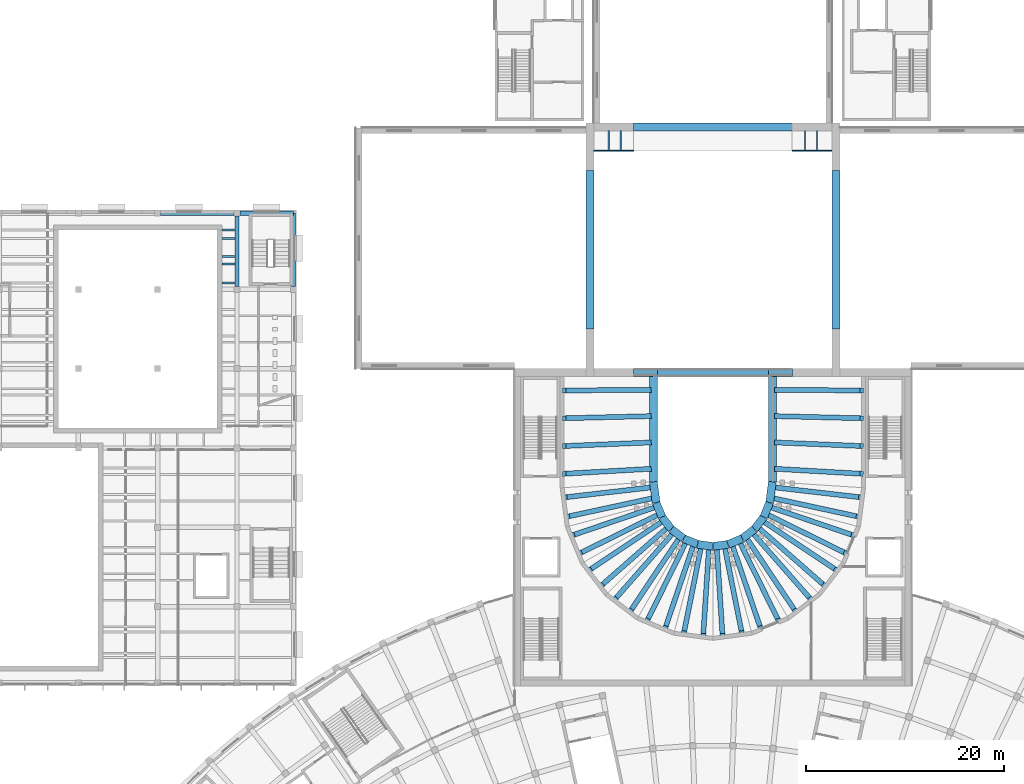
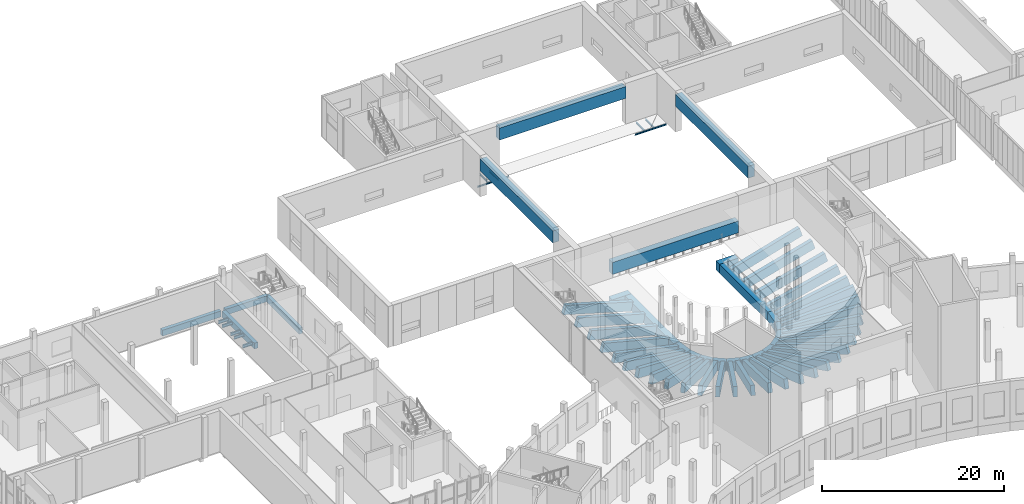
# One storey, part 16 of 87: 61 beams, 6 members.
"""IFC4 building model written with IfcOpenShell, lengths in metres."""

from ifc_helpers import new_model, si_unit, direction, frame, origin, origin_2d, place, context, subcontext, project, spatial, rectangle, i_section, extrude, material, material_profile, profile_set, type_object, element, save


model = new_model("IFC4")

# Units and contexts
model_context = context("Model", 3, precision=1e-05, world=origin(), true_north=direction((0.0, 1.0)))
body_context = subcontext(model_context, "Body", "Model", "MODEL_VIEW")
ifc_project = project(units=[si_unit("LENGTHUNIT", "METRE"), si_unit("AREAUNIT", "SQUARE_METRE"), si_unit("VOLUMEUNIT", "CUBIC_METRE"), si_unit("PLANEANGLEUNIT", "RADIAN"), si_unit("MASSUNIT", "GRAM", prefix="KILO")], contexts=[model_context])

# Site, building, storey
site_placement = place(None, origin())
site = spatial("IfcSite", under=ifc_project, at=site_placement, CompositionType="ELEMENT")
building_placement = place(site_placement, origin())
building = spatial("IfcBuilding", under=site, at=building_placement, Name="Lunette Opera House", CompositionType="ELEMENT")
storey_placement = place(building_placement, frame((0.0, 0.0, 11.5)))
storey = spatial("IfcBuildingStorey", under=building, at=storey_placement, Name="L02", CompositionType="ELEMENT", Elevation=11.5)

# Members
ifc_material_1 = material(Name="Steel S355", Category="steel")
ifc_material_profile_1 = material_profile(ifc_material_1, i_section(OverallWidth=0.1201171875, OverallDepth=0.239990234375, WebThickness=0.006103515625, FlangeThickness=0.009765625, FilletRadius=0.014892578125, at=origin_2d()), Name="IPE 240")
ifc_profile_set_1 = profile_set([ifc_material_profile_1], Name="Steel S355")
member_type_1 = type_object("IfcMemberType", Name="BRACKET IPE 240", PredefinedType="MEMBER", material=ifc_profile_set_1)
for number, where, z_axis, x_axis, name in (
    (1, (85.5, 120.010009765625, -0.179931640625), (0.0, -1.0, 0.0), (1.0, 0.0, 0.0), "mem-ST-L02-FG1-BKN855"),
    (2, (86.699951171875, 120.010009765625, -0.179931640625), (0.0, -1.0, 0.0), (1.0, 0.0, 0.0), "mem-ST-L02-FG1-BKN867"),
    (3, (105.300048828125, 120.010009765625, -0.179931640625), (0.0, -1.0, 0.0), (1.0, 0.0, 0.0), "mem-ST-L02-FG1-BKN1053"),
    (4, (106.5, 120.010009765625, -0.179931640625), (0.0, -1.0, 0.0), (1.0, 0.0, 0.0), "mem-ST-L02-FG1-BKN1065"),
):
    element("IfcMember", number, at=place(storey_placement, frame(where, z_axis=z_axis, x_axis=x_axis)), inside=storey, type_object=member_type_1, Name=name, PredefinedType="MEMBER", context=body_context, shape_type="SweptSolid", body=[
        extrude(i_section(OverallWidth=0.1201171875, OverallDepth=0.239990234375, WebThickness=0.006103515625, FlangeThickness=0.009765625, FilletRadius=0.014892578125, at=origin_2d()), origin(), (0.0, 0.0, 1.0), 1.989990234375),
    ])
ifc_material_2 = material(Name="Steel S355", Category="steel")
ifc_material_profile_2 = material_profile(ifc_material_2, i_section(OverallWidth=0.10009765625, OverallDepth=0.199951171875, WebThickness=0.005615234375, FlangeThickness=0.008544921875, FilletRadius=0.011962890625, at=origin_2d()), Name="IPE 200")
ifc_profile_set_2 = profile_set([ifc_material_profile_2], Name="Steel S355")
member_type_2 = type_object("IfcMemberType", Name="EDGE IPE 200", PredefinedType="MEMBER", material=ifc_profile_set_2)
for number, where, z_axis, x_axis, name in (
    (5, (84.0, 118.0, -0.159912109375), (1.0, 0.0, 0.0), (0.0, 1.0, 0.0), "mem-ST-L02-FG1-EDW"),
    (6, (104.0, 118.0, -0.159912109375), (1.0, 0.0, 0.0), (0.0, 1.0, 0.0), "mem-ST-L02-FG1-EDE"),
):
    element("IfcMember", number, at=place(storey_placement, frame(where, z_axis=z_axis, x_axis=x_axis)), inside=storey, type_object=member_type_2, Name=name, PredefinedType="MEMBER", context=body_context, shape_type="SweptSolid", body=[
        extrude(i_section(OverallWidth=0.10009765625, OverallDepth=0.199951171875, WebThickness=0.005615234375, FlangeThickness=0.008544921875, FilletRadius=0.011962890625, at=origin_2d()), origin(), (0.0, 0.0, 1.0), 4.0),
    ])

# Beams
ifc_material_3 = material(Name="Concrete C40/50", Category="concrete")
ifc_material_profile_3 = material_profile(ifc_material_3, rectangle(XDim=0.800048828125, YDim=1.60009765625, at=origin_2d()), Name="LINTEL BEAM 800X1600")
ifc_profile_set_3 = profile_set([ifc_material_profile_3], Name="Concrete C40/50")
beam_type_1 = type_object("IfcBeamType", Name="LINTEL BEAM 800X1600", PredefinedType="BEAM", material=ifc_profile_set_3)
for number, where, z_axis, x_axis, name in (
    (7, (87.989990234375, 95.60009765625, 1.300048828125), (1.0, 0.0, 0.0), (0.0, 1.0, 0.0), "beam-ST-L02-WP-LT1"),
    (8, (83.60009765625, 99.989990234375, 4.300048828125), (0.0, 1.0, 0.0), (-1.0, 0.0, 0.0), "beam-ST-L02-WW-LT1"),
    (9, (108.39990234375, 99.989990234375, 4.300048828125), (0.0, 1.0, 0.0), (-1.0, 0.0, 0.0), "beam-ST-L02-WE-LT1"),
    (10, (87.989990234375, 120.39990234375, 4.300048828125), (1.0, 0.0, 0.0), (0.0, 1.0, 0.0), "beam-ST-L02-WN-LT1"),
):
    element("IfcBeam", number, at=place(storey_placement, frame(where, z_axis=z_axis, x_axis=x_axis)), inside=storey, type_object=beam_type_1, Name=name, PredefinedType="BEAM", context=body_context, shape_type="SweptSolid", body=[
        extrude(rectangle(XDim=0.800048828125, YDim=1.60009765625, at=origin_2d()), origin(), (0.0, 0.0, 1.0), 16.02001953125),
    ])
ifc_material_4 = material(Name="Concrete C35/45", Category="concrete")
ifc_material_profile_4 = material_profile(ifc_material_4, rectangle(XDim=0.5, YDim=1.199951171875, at=origin_2d()), Name="RAKER BEAM 500X1200")
ifc_profile_set_4 = profile_set([ifc_material_profile_4], Name="Concrete C35/45")
beam_type_2 = type_object("IfcBeamType", Name="RAKER BEAM 500X1200", PredefinedType="BEAM", material=ifc_profile_set_4)
beam_1_placement = place(storey_placement, frame((81.0, 93.800048828125, -0.825927734375), z_axis=(0.957797119728, 0.007903109475, -0.287336420073), x_axis=(-0.008251058899, 0.999965959434, 0.0)))
element("IfcBeam", 11, at=beam_1_placement, inside=storey, type_object=beam_type_2, Name="beam-AU-L02-RKT1-01-1", PredefinedType="BEAM", context=body_context, shape_type="SweptSolid", body=[
    extrude(rectangle(XDim=0.5, YDim=1.199951171875, at=origin_2d()), origin(), (0.0, 0.0, 1.0), 8.989501953125),
])
beam_2_placement = place(storey_placement, frame((81.0, 91.0, -0.825927734375), z_axis=(0.957560989182, 0.023567724462, -0.287265581579), x_axis=(-0.024604792538, 0.999697256265, 0.0)))
element("IfcBeam", 12, at=beam_2_placement, inside=storey, type_object=beam_type_2, Name="beam-AU-L02-RKT1-01-2", PredefinedType="BEAM", context=body_context, shape_type="SweptSolid", body=[
    extrude(rectangle(XDim=0.5, YDim=1.199951171875, at=origin_2d()), origin(), (0.0, 0.0, 1.0), 8.99169921875),
])
beam_3_placement = place(storey_placement, frame((81.0, 88.199951171875, -0.825927734375), z_axis=(0.957089249432, 0.039242097561, -0.287124060992), x_axis=(-0.040967081925, 0.999160496716, 0.0)))
element("IfcBeam", 13, at=beam_3_placement, inside=storey, type_object=beam_type_2, Name="beam-AU-L02-RKT1-01-3", PredefinedType="BEAM", context=body_context, shape_type="SweptSolid", body=[
    extrude(rectangle(XDim=0.5, YDim=1.199951171875, at=origin_2d()), origin(), (0.0, 0.0, 1.0), 8.99609375),
])
beam_4_placement = place(storey_placement, frame((81.0, 85.39990234375, -0.825927734375), z_axis=(0.956362639995, 0.05488015603, -0.286982001693), x_axis=(-0.057290004246, 0.998357578933, 0.0)))
element("IfcBeam", 14, at=beam_4_placement, inside=storey, type_object=beam_type_2, Name="beam-AU-L02-RKT1-01-4", PredefinedType="BEAM", context=body_context, shape_type="SweptSolid", body=[
    extrude(rectangle(XDim=0.5, YDim=1.199951171875, at=origin_2d()), origin(), (0.0, 0.0, 1.0), 9.00390625),
])
beam_5_placement = place(storey_placement, frame((81.1279296875, 83.029052734375, -0.825927734375), z_axis=(0.951532834333, 0.109663772156, -0.287331032544), x_axis=(-0.114491735096, 0.993424200729, 0.0)))
element("IfcBeam", 15, at=beam_5_placement, inside=storey, type_object=beam_type_2, Name="beam-AU-L02-RKT1-02-1", PredefinedType="BEAM", context=body_context, shape_type="SweptSolid", body=[
    extrude(rectangle(XDim=0.5, YDim=1.199951171875, at=origin_2d()), origin(), (0.0, 0.0, 1.0), 8.98974609375),
])
beam_6_placement = place(storey_placement, frame((81.383056640625, 81.087890625, -0.825927734375), z_axis=(0.936405348455, 0.202603574092, -0.286525417983), x_axis=(-0.211469950697, 0.977384499546, 0.0)))
element("IfcBeam", 16, at=beam_6_placement, inside=storey, type_object=beam_type_2, Name="beam-AU-L02-RKT1-02-2", PredefinedType="BEAM", context=body_context, shape_type="SweptSolid", body=[
    extrude(rectangle(XDim=0.5, YDim=1.199951171875, at=origin_2d()), origin(), (0.0, 0.0, 1.0), 9.018310546875),
])
beam_7_placement = place(storey_placement, frame((81.885986328125, 79.212890625, -0.825927734375), z_axis=(0.907197728615, 0.30774744446, -0.286851514942), x_axis=(-0.321247868048, 0.946995146384, 0.0)))
element("IfcBeam", 17, at=beam_7_placement, inside=storey, type_object=beam_type_2, Name="beam-AU-L02-RKT1-03-1", PredefinedType="BEAM", context=body_context, shape_type="SweptSolid", body=[
    extrude(rectangle(XDim=0.5, YDim=1.199951171875, at=origin_2d()), origin(), (0.0, 0.0, 1.0), 9.008056640625),
])
beam_8_placement = place(storey_placement, frame((82.635009765625, 77.404052734375, -0.825927734375), z_axis=(0.859051535278, 0.423955958821, -0.286865481918), x_axis=(-0.442556209548, 0.896740765991, 0.0)))
element("IfcBeam", 18, at=beam_8_placement, inside=storey, type_object=beam_type_2, Name="beam-AU-L02-RKT1-03-2", PredefinedType="BEAM", context=body_context, shape_type="SweptSolid", body=[
    extrude(rectangle(XDim=0.5, YDim=1.199951171875, at=origin_2d()), origin(), (0.0, 0.0, 1.0), 9.007568359375),
])
beam_9_placement = place(storey_placement, frame((83.60595703125, 75.722900390625, -0.825927734375), z_axis=(0.796612620521, 0.532095926877, -0.28684884073), x_axis=(-0.555437721103, 0.831558138663, 0.0)))
element("IfcBeam", 19, at=beam_9_placement, inside=storey, type_object=beam_type_2, Name="beam-AU-L02-RKT1-04-1", PredefinedType="BEAM", context=body_context, shape_type="SweptSolid", body=[
    extrude(rectangle(XDim=0.5, YDim=1.199951171875, at=origin_2d()), origin(), (0.0, 0.0, 1.0), 9.008056640625),
])
for number, where, z_axis, x_axis, name in (
    (20, (84.797119140625, 74.169921875, -0.825927734375), (0.720063407308, 0.631850897304, -0.286832935752), (-0.659565428121, 0.751647155272, 0.0), "beam-AU-L02-RKT1-04-2"),
    (21, (86.169921875, 72.797119140625, -0.825927734375), (0.631850897304, 0.720063407308, -0.286832935752), (-0.751647155272, 0.659565428121, 0.0), "beam-AU-L02-RKT1-05-1"),
):
    element("IfcBeam", number, at=place(storey_placement, frame(where, z_axis=z_axis, x_axis=x_axis)), inside=storey, type_object=beam_type_2, Name=name, PredefinedType="BEAM", context=body_context, shape_type="SweptSolid", body=[
        extrude(rectangle(XDim=0.5, YDim=1.199951171875, at=origin_2d()), origin(), (0.0, 0.0, 1.0), 9.0087890625),
    ])
beam_10_placement = place(storey_placement, frame((87.722900390625, 71.60595703125, -0.825927734375), z_axis=(0.532095926877, 0.796612620521, -0.28684884073), x_axis=(-0.831558138663, 0.555437721103, 0.0)))
element("IfcBeam", 22, at=beam_10_placement, inside=storey, type_object=beam_type_2, Name="beam-AU-L02-RKT1-05-2", PredefinedType="BEAM", context=body_context, shape_type="SweptSolid", body=[
    extrude(rectangle(XDim=0.5, YDim=1.199951171875, at=origin_2d()), origin(), (0.0, 0.0, 1.0), 9.008056640625),
])
beam_11_placement = place(storey_placement, frame((89.404052734375, 70.635009765625, -0.825927734375), z_axis=(0.423955958821, 0.859051535278, -0.286865481918), x_axis=(-0.896740765991, 0.442556209548, 0.0)))
element("IfcBeam", 23, at=beam_11_placement, inside=storey, type_object=beam_type_2, Name="beam-AU-L02-RKT1-06-1", PredefinedType="BEAM", context=body_context, shape_type="SweptSolid", body=[
    extrude(rectangle(XDim=0.5, YDim=1.199951171875, at=origin_2d()), origin(), (0.0, 0.0, 1.0), 9.007568359375),
])
for number, where, z_axis, x_axis, name in (
    (24, (91.212890625, 69.885986328125, -0.825927734375), (0.307757013252, 0.907225936114, -0.286752021154), (-0.946995146384, 0.321247868048, 0.0), "beam-AU-L02-RKT1-06-2"),
    (25, (93.087890625, 69.383056640625, -0.825927734375), (0.187175313401, 0.939508407725, -0.286861210113), (-0.980726219103, 0.195387008687, 0.0), "beam-AU-L02-RKT1-07-1"),
):
    element("IfcBeam", number, at=place(storey_placement, frame(where, z_axis=z_axis, x_axis=x_axis)), inside=storey, type_object=beam_type_2, Name=name, PredefinedType="BEAM", context=body_context, shape_type="SweptSolid", body=[
        extrude(rectangle(XDim=0.5, YDim=1.199951171875, at=origin_2d()), origin(), (0.0, 0.0, 1.0), 9.0078125),
    ])
for number, where, z_axis, x_axis, name in (
    (26, (95.029052734375, 69.1279296875, -0.825927734375), (0.062390466949, 0.955940121527, -0.286855213809), (-0.997876949435, 0.065127519424, 0.0), "beam-AU-L02-RKT1-07-2"),
    (27, (96.970947265625, 69.1279296875, -0.825927734375), (-0.062390466949, 0.955940121527, -0.286855213809), (-0.997876949435, -0.065127519424, 0.0), "beam-AU-L02-RKT1-08-1"),
):
    element("IfcBeam", number, at=place(storey_placement, frame(where, z_axis=z_axis, x_axis=x_axis)), inside=storey, type_object=beam_type_2, Name=name, PredefinedType="BEAM", context=body_context, shape_type="SweptSolid", body=[
        extrude(rectangle(XDim=0.5, YDim=1.199951171875, at=origin_2d()), origin(), (0.0, 0.0, 1.0), 9.008056640625),
    ])
beam_12_placement = place(storey_placement, frame((98.912109375, 69.383056640625, -0.825927734375), z_axis=(-0.187181133637, 0.939537621835, -0.286761713565), x_axis=(-0.980726219103, -0.195387008687, 0.0)))
element("IfcBeam", 28, at=beam_12_placement, inside=storey, type_object=beam_type_2, Name="beam-AU-L02-RKT1-08-2", PredefinedType="BEAM", context=body_context, shape_type="SweptSolid", body=[
    extrude(rectangle(XDim=0.5, YDim=1.199951171875, at=origin_2d()), origin(), (0.0, 0.0, 1.0), 9.007568359375),
])
beam_13_placement = place(storey_placement, frame((100.787109375, 69.885986328125, -0.825927734375), z_axis=(-0.30774744446, 0.907197728615, -0.286851514942), x_axis=(-0.946995146384, -0.321247868048, 0.0)))
element("IfcBeam", 29, at=beam_13_placement, inside=storey, type_object=beam_type_2, Name="beam-AU-L02-RKT1-09-1", PredefinedType="BEAM", context=body_context, shape_type="SweptSolid", body=[
    extrude(rectangle(XDim=0.5, YDim=1.199951171875, at=origin_2d()), origin(), (0.0, 0.0, 1.0), 9.008056640625),
])
beam_14_placement = place(storey_placement, frame((102.595947265625, 70.635009765625, -0.825927734375), z_axis=(-0.423955958821, 0.859051535278, -0.286865481918), x_axis=(-0.896740765991, -0.442556209548, 0.0)))
element("IfcBeam", 30, at=beam_14_placement, inside=storey, type_object=beam_type_2, Name="beam-AU-L02-RKT1-09-2", PredefinedType="BEAM", context=body_context, shape_type="SweptSolid", body=[
    extrude(rectangle(XDim=0.5, YDim=1.199951171875, at=origin_2d()), origin(), (0.0, 0.0, 1.0), 9.007568359375),
])
beam_15_placement = place(storey_placement, frame((104.277099609375, 71.60595703125, -0.825927734375), z_axis=(-0.532095926877, 0.796612620521, -0.28684884073), x_axis=(-0.831558138663, -0.555437721103, 0.0)))
element("IfcBeam", 31, at=beam_15_placement, inside=storey, type_object=beam_type_2, Name="beam-AU-L02-RKT1-10-1", PredefinedType="BEAM", context=body_context, shape_type="SweptSolid", body=[
    extrude(rectangle(XDim=0.5, YDim=1.199951171875, at=origin_2d()), origin(), (0.0, 0.0, 1.0), 9.008056640625),
])
for number, where, z_axis, x_axis, name in (
    (32, (105.830078125, 72.797119140625, -0.825927734375), (-0.631850897304, 0.720063407308, -0.286832935752), (-0.751647155272, -0.659565428121, 0.0), "beam-AU-L02-RKT1-10-2"),
    (33, (107.202880859375, 74.169921875, -0.825927734375), (-0.720063407308, 0.631850897304, -0.286832935752), (-0.659565428121, -0.751647155272, 0.0), "beam-AU-L02-RKT1-11-1"),
):
    element("IfcBeam", number, at=place(storey_placement, frame(where, z_axis=z_axis, x_axis=x_axis)), inside=storey, type_object=beam_type_2, Name=name, PredefinedType="BEAM", context=body_context, shape_type="SweptSolid", body=[
        extrude(rectangle(XDim=0.5, YDim=1.199951171875, at=origin_2d()), origin(), (0.0, 0.0, 1.0), 9.0087890625),
    ])
beam_16_placement = place(storey_placement, frame((108.39404296875, 75.722900390625, -0.825927734375), z_axis=(-0.796612620521, 0.532095926877, -0.28684884073), x_axis=(-0.555437721103, -0.831558138663, 0.0)))
element("IfcBeam", 34, at=beam_16_placement, inside=storey, type_object=beam_type_2, Name="beam-AU-L02-RKT1-11-2", PredefinedType="BEAM", context=body_context, shape_type="SweptSolid", body=[
    extrude(rectangle(XDim=0.5, YDim=1.199951171875, at=origin_2d()), origin(), (0.0, 0.0, 1.0), 9.008056640625),
])
beam_17_placement = place(storey_placement, frame((109.364990234375, 77.404052734375, -0.825927734375), z_axis=(-0.859051535278, 0.423955958821, -0.286865481918), x_axis=(-0.442556209548, -0.896740765991, 0.0)))
element("IfcBeam", 35, at=beam_17_placement, inside=storey, type_object=beam_type_2, Name="beam-AU-L02-RKT1-12-1", PredefinedType="BEAM", context=body_context, shape_type="SweptSolid", body=[
    extrude(rectangle(XDim=0.5, YDim=1.199951171875, at=origin_2d()), origin(), (0.0, 0.0, 1.0), 9.007568359375),
])
beam_18_placement = place(storey_placement, frame((110.114013671875, 79.212890625, -0.825927734375), z_axis=(-0.907225936114, 0.307757013252, -0.286752021154), x_axis=(-0.321247868048, -0.946995146384, 0.0)))
element("IfcBeam", 36, at=beam_18_placement, inside=storey, type_object=beam_type_2, Name="beam-AU-L02-RKT1-12-2", PredefinedType="BEAM", context=body_context, shape_type="SweptSolid", body=[
    extrude(rectangle(XDim=0.5, YDim=1.199951171875, at=origin_2d()), origin(), (0.0, 0.0, 1.0), 9.0078125),
])
beam_19_placement = place(storey_placement, frame((110.616943359375, 81.087890625, -0.825927734375), z_axis=(-0.936405348455, 0.202603574092, -0.286525417983), x_axis=(-0.211469950697, -0.977384499546, 0.0)))
element("IfcBeam", 37, at=beam_19_placement, inside=storey, type_object=beam_type_2, Name="beam-AU-L02-RKT1-13-1", PredefinedType="BEAM", context=body_context, shape_type="SweptSolid", body=[
    extrude(rectangle(XDim=0.5, YDim=1.199951171875, at=origin_2d()), origin(), (0.0, 0.0, 1.0), 9.018310546875),
])
beam_20_placement = place(storey_placement, frame((110.8720703125, 83.029052734375, -0.825927734375), z_axis=(-0.95150312965, 0.109660348704, -0.287430691104), x_axis=(-0.114491735096, -0.993424200729, 0.0)))
element("IfcBeam", 38, at=beam_20_placement, inside=storey, type_object=beam_type_2, Name="beam-AU-L02-RKT1-13-2", PredefinedType="BEAM", context=body_context, shape_type="SweptSolid", body=[
    extrude(rectangle(XDim=0.5, YDim=1.199951171875, at=origin_2d()), origin(), (0.0, 0.0, 1.0), 8.989990234375),
])
beam_21_placement = place(storey_placement, frame((111.0, 85.39990234375, -0.825927734375), z_axis=(-0.956362639995, 0.05488015603, -0.286982001693), x_axis=(-0.057290004246, -0.998357578933, 0.0)))
element("IfcBeam", 39, at=beam_21_placement, inside=storey, type_object=beam_type_2, Name="beam-AU-L02-RKT1-14-1", PredefinedType="BEAM", context=body_context, shape_type="SweptSolid", body=[
    extrude(rectangle(XDim=0.5, YDim=1.199951171875, at=origin_2d()), origin(), (0.0, 0.0, 1.0), 9.00390625),
])
beam_22_placement = place(storey_placement, frame((111.0, 88.199951171875, -0.825927734375), z_axis=(-0.957089249432, 0.039242097561, -0.287124060992), x_axis=(-0.040967081925, -0.999160496716, 0.0)))
element("IfcBeam", 40, at=beam_22_placement, inside=storey, type_object=beam_type_2, Name="beam-AU-L02-RKT1-14-2", PredefinedType="BEAM", context=body_context, shape_type="SweptSolid", body=[
    extrude(rectangle(XDim=0.5, YDim=1.199951171875, at=origin_2d()), origin(), (0.0, 0.0, 1.0), 8.99609375),
])
beam_23_placement = place(storey_placement, frame((111.0, 91.0, -0.825927734375), z_axis=(-0.957560989182, 0.023567724462, -0.287265581579), x_axis=(-0.024604792538, -0.999697256265, 0.0)))
element("IfcBeam", 41, at=beam_23_placement, inside=storey, type_object=beam_type_2, Name="beam-AU-L02-RKT1-14-3", PredefinedType="BEAM", context=body_context, shape_type="SweptSolid", body=[
    extrude(rectangle(XDim=0.5, YDim=1.199951171875, at=origin_2d()), origin(), (0.0, 0.0, 1.0), 8.99169921875),
])
beam_24_placement = place(storey_placement, frame((111.0, 93.800048828125, -0.825927734375), z_axis=(-0.957797119728, 0.007903109475, -0.287336420073), x_axis=(-0.008251058899, -0.999965959434, 0.0)))
element("IfcBeam", 42, at=beam_24_placement, inside=storey, type_object=beam_type_2, Name="beam-AU-L02-RKT1-14-4", PredefinedType="BEAM", context=body_context, shape_type="SweptSolid", body=[
    extrude(rectangle(XDim=0.5, YDim=1.199951171875, at=origin_2d()), origin(), (0.0, 0.0, 1.0), 8.989501953125),
])
ifc_material_5 = material(Name="Concrete C35/45", Category="concrete")
ifc_material_profile_5 = material_profile(ifc_material_5, rectangle(XDim=0.449951171875, YDim=0.800048828125, at=origin_2d()), Name="RC BEAM 450X800")
ifc_profile_set_5 = profile_set([ifc_material_profile_5], Name="Concrete C35/45")
beam_type_3 = type_object("IfcBeamType", Name="RC BEAM 450X800", PredefinedType="BEAM", material=ifc_profile_set_5)
beam_25_placement = place(storey_placement, frame((48.0, 104.2900390625, -0.550048828125), z_axis=(0.0, 1.0, 0.0), x_axis=(-1.0, 0.0, 0.0)))
element("IfcBeam", 43, at=beam_25_placement, inside=storey, type_object=beam_type_3, Name="beam-RW-L02-L02-GY55", PredefinedType="BEAM", context=body_context, shape_type="SweptSolid", body=[
    extrude(rectangle(XDim=0.449951171875, YDim=0.800048828125, at=origin_2d()), origin(), (0.0, 0.0, 1.0), 7.119873046875),
])
beam_26_placement = place(storey_placement, frame((53.699951171875, 104.2900390625, -0.550048828125), z_axis=(0.0, 1.0, 0.0), x_axis=(-1.0, 0.0, 0.0)))
element("IfcBeam", 44, at=beam_26_placement, inside=storey, type_object=beam_type_3, Name="beam-RW-L02-L02-GY65", PredefinedType="BEAM", context=body_context, shape_type="SweptSolid", body=[
    extrude(rectangle(XDim=0.449951171875, YDim=0.800048828125, at=origin_2d()), origin(), (0.0, 0.0, 1.0), 7.409912109375),
])
beam_27_placement = place(storey_placement, frame((40.2900390625, 111.699951171875, -0.550048828125), z_axis=(1.0, 0.0, 0.0), x_axis=(0.0, 1.0, 0.0)))
element("IfcBeam", 45, at=beam_27_placement, inside=storey, type_object=beam_type_3, Name="beam-RW-L02-L02-GX46", PredefinedType="BEAM", context=body_context, shape_type="SweptSolid", body=[
    extrude(rectangle(XDim=0.449951171875, YDim=0.800048828125, at=origin_2d()), origin(), (0.0, 0.0, 1.0), 7.419921875),
])
beam_28_placement = place(storey_placement, frame((48.2900390625, 111.699951171875, -0.550048828125), z_axis=(1.0, 0.0, 0.0), x_axis=(0.0, 1.0, 0.0)))
element("IfcBeam", 46, at=beam_28_placement, inside=storey, type_object=beam_type_3, Name="beam-RW-L02-L02-GX56", PredefinedType="BEAM", context=body_context, shape_type="SweptSolid", body=[
    extrude(rectangle(XDim=0.449951171875, YDim=0.800048828125, at=origin_2d()), origin(), (0.0, 0.0, 1.0), 5.409912109375),
])
ifc_material_6 = material(Name="Steel S355", Category="steel")
ifc_material_profile_6 = material_profile(ifc_material_6, i_section(OverallWidth=0.179931640625, OverallDepth=0.39990234375, WebThickness=0.008544921875, FlangeThickness=0.013427734375, FilletRadius=0.02099609375, at=origin_2d()), Name="IPE 400")
ifc_profile_set_6 = profile_set([ifc_material_profile_6], Name="Steel S355")
beam_type_4 = type_object("IfcBeamType", Name="STEEL BEAM IPE 400", PredefinedType="BEAM", material=ifc_profile_set_6)
for number, where, z_axis, x_axis, name in (
    (47, (46.5, 106.56689453125, -0.35009765625), (1.0, 0.0, 0.0), (0.0, 1.0, 0.0), "beam-RW-L02-L02-SX451-01"),
    (48, (46.5, 109.133056640625, -0.35009765625), (1.0, 0.0, 0.0), (0.0, 1.0, 0.0), "beam-RW-L02-L02-SX452-01"),
):
    element("IfcBeam", number, at=place(storey_placement, frame(where, z_axis=z_axis, x_axis=x_axis)), inside=storey, type_object=beam_type_4, Name=name, PredefinedType="BEAM", context=body_context, shape_type="SweptSolid", body=[
        extrude(i_section(OverallWidth=0.179931640625, OverallDepth=0.39990234375, WebThickness=0.008544921875, FlangeThickness=0.013427734375, FilletRadius=0.02099609375, at=origin_2d()), origin(), (0.0, 0.0, 1.0), 1.284912109375),
    ])
for number, where, z_axis, x_axis, name in (
    (49, (46.5, 104.64990234375, -0.35009765625), (1.0, 0.0, 0.0), (0.0, 1.0, 0.0), "beam-RW-L02-L02-RJE30905"),
    (50, (46.5, 107.320068359375, -0.35009765625), (1.0, 0.0, 0.0), (0.0, 1.0, 0.0), "beam-RW-L02-L02-RJE30906"),
    (51, (46.5, 109.989990234375, -0.35009765625), (1.0, 0.0, 0.0), (0.0, 1.0, 0.0), "beam-RW-L02-L02-RJE30907"),
):
    element("IfcBeam", number, at=place(storey_placement, frame(where, z_axis=z_axis, x_axis=x_axis)), inside=storey, type_object=beam_type_4, Name=name, PredefinedType="BEAM", context=body_context, shape_type="SweptSolid", body=[
        extrude(i_section(OverallWidth=0.179931640625, OverallDepth=0.39990234375, WebThickness=0.008544921875, FlangeThickness=0.013427734375, FilletRadius=0.02099609375, at=origin_2d()), origin(), (0.0, 0.0, 1.0), 1.264892578125),
    ])
ifc_material_7 = material(Name="Concrete C40/50", Category="concrete")
ifc_material_profile_7 = material_profile(ifc_material_7, rectangle(XDim=0.800048828125, YDim=1.199951171875, at=origin_2d()), Name="TIER GIRDER 800X1200")
ifc_profile_set_7 = profile_set([ifc_material_profile_7], Name="Concrete C40/50")
beam_type_5 = type_object("IfcBeamType", Name="TIER GIRDER 800X1200", PredefinedType="BEAM", material=ifc_profile_set_7)
beam_29_placement = place(storey_placement, frame((90.0, 95.199951171875, -3.5), z_axis=(0.0, -1.0, 0.0), x_axis=(1.0, 0.0, 0.0)))
element("IfcBeam", 52, at=beam_29_placement, inside=storey, type_object=beam_type_5, Name="beam-AU-L02-TGL02-1", PredefinedType="BEAM", context=body_context, shape_type="SweptSolid", body=[
    extrude(rectangle(XDim=0.800048828125, YDim=1.199951171875, at=origin_2d()), origin(), (0.0, 0.0, 1.0), 10.60986328125),
])
beam_30_placement = place(storey_placement, frame((90.0, 84.590087890625, -3.5), z_axis=(0.130318842353, -0.991472137444, 0.0), x_axis=(0.991472137444, 0.130318842353, 0.0)))
element("IfcBeam", 53, at=beam_30_placement, inside=storey, type_object=beam_type_5, Name="beam-AU-L02-TGL02-2", PredefinedType="BEAM", context=body_context, shape_type="SweptSolid", body=[
    extrude(rectangle(XDim=0.800048828125, YDim=1.199951171875, at=origin_2d()), origin(), (0.0, 0.0, 1.0), 2.141357421875),
])
beam_31_placement = place(storey_placement, frame((90.279052734375, 82.467041015625, -3.5), z_axis=(0.382988727019, -0.92375301622, 0.0), x_axis=(0.92375301622, 0.382988727019, 0.0)))
element("IfcBeam", 54, at=beam_31_placement, inside=storey, type_object=beam_type_5, Name="beam-AU-L02-TGL02-3", PredefinedType="BEAM", context=body_context, shape_type="SweptSolid", body=[
    extrude(rectangle(XDim=0.800048828125, YDim=1.199951171875, at=origin_2d()), origin(), (0.0, 0.0, 1.0), 1.5458984375),
])
for number, where, z_axis, x_axis, name in (
    (55, (90.87109375, 81.0390625, -3.5), (0.608504463961, -0.793550450406, 0.0), (0.793550450406, 0.608504463961, 0.0), "beam-AU-L02-TGL02-4"),
    (56, (91.81201171875, 79.81201171875, -3.5), (0.793550450406, -0.608504463961, 0.0), (0.608504463961, 0.793550450406, 0.0), "beam-AU-L02-TGL02-5"),
):
    element("IfcBeam", number, at=place(storey_placement, frame(where, z_axis=z_axis, x_axis=x_axis)), inside=storey, type_object=beam_type_5, Name=name, PredefinedType="BEAM", context=body_context, shape_type="SweptSolid", body=[
        extrude(rectangle(XDim=0.800048828125, YDim=1.199951171875, at=origin_2d()), origin(), (0.0, 0.0, 1.0), 1.54638671875),
    ])
beam_32_placement = place(storey_placement, frame((93.0390625, 78.87109375, -3.5), z_axis=(0.92375301622, -0.382988727019, 0.0), x_axis=(0.382988727019, 0.92375301622, 0.0)))
element("IfcBeam", 57, at=beam_32_placement, inside=storey, type_object=beam_type_5, Name="beam-AU-L02-TGL02-6", PredefinedType="BEAM", context=body_context, shape_type="SweptSolid", body=[
    extrude(rectangle(XDim=0.800048828125, YDim=1.199951171875, at=origin_2d()), origin(), (0.0, 0.0, 1.0), 1.5458984375),
])
for number, where, z_axis, x_axis, name in (
    (58, (94.467041015625, 78.279052734375, -3.5), (0.991498847145, -0.130115472217, 0.0), (0.130115472217, 0.991498847145, 0.0), "beam-AU-L02-TGL02-7"),
    (59, (96.0, 78.077880859375, -3.5), (0.991498847145, 0.130115472217, 0.0), (-0.130115472217, 0.991498847145, 0.0), "beam-AU-L02-TGL02-8"),
):
    element("IfcBeam", number, at=place(storey_placement, frame(where, z_axis=z_axis, x_axis=x_axis)), inside=storey, type_object=beam_type_5, Name=name, PredefinedType="BEAM", context=body_context, shape_type="SweptSolid", body=[
        extrude(rectangle(XDim=0.800048828125, YDim=1.199951171875, at=origin_2d()), origin(), (0.0, 0.0, 1.0), 1.546142578125),
    ])
beam_33_placement = place(storey_placement, frame((97.532958984375, 78.279052734375, -3.5), z_axis=(0.92375301622, 0.382988727019, 0.0), x_axis=(-0.382988727019, 0.92375301622, 0.0)))
element("IfcBeam", 60, at=beam_33_placement, inside=storey, type_object=beam_type_5, Name="beam-AU-L02-TGL02-9", PredefinedType="BEAM", context=body_context, shape_type="SweptSolid", body=[
    extrude(rectangle(XDim=0.800048828125, YDim=1.199951171875, at=origin_2d()), origin(), (0.0, 0.0, 1.0), 1.5458984375),
])
for number, where, z_axis, x_axis, name in (
    (61, (98.9609375, 78.87109375, -3.5), (0.793550450406, 0.608504463961, 0.0), (-0.608504463961, 0.793550450406, 0.0), "beam-AU-L02-TGL02-10"),
    (62, (100.18798828125, 79.81201171875, -3.5), (0.608504463961, 0.793550450406, 0.0), (-0.793550450406, 0.608504463961, 0.0), "beam-AU-L02-TGL02-11"),
):
    element("IfcBeam", number, at=place(storey_placement, frame(where, z_axis=z_axis, x_axis=x_axis)), inside=storey, type_object=beam_type_5, Name=name, PredefinedType="BEAM", context=body_context, shape_type="SweptSolid", body=[
        extrude(rectangle(XDim=0.800048828125, YDim=1.199951171875, at=origin_2d()), origin(), (0.0, 0.0, 1.0), 1.54638671875),
    ])
beam_34_placement = place(storey_placement, frame((101.12890625, 81.0390625, -3.5), z_axis=(0.382988727019, 0.92375301622, 0.0), x_axis=(-0.92375301622, 0.382988727019, 0.0)))
element("IfcBeam", 63, at=beam_34_placement, inside=storey, type_object=beam_type_5, Name="beam-AU-L02-TGL02-12", PredefinedType="BEAM", context=body_context, shape_type="SweptSolid", body=[
    extrude(rectangle(XDim=0.800048828125, YDim=1.199951171875, at=origin_2d()), origin(), (0.0, 0.0, 1.0), 1.5458984375),
])
beam_35_placement = place(storey_placement, frame((101.720947265625, 82.467041015625, -3.5), z_axis=(0.130318842353, 0.991472137444, 0.0), x_axis=(-0.991472137444, 0.130318842353, 0.0)))
element("IfcBeam", 64, at=beam_35_placement, inside=storey, type_object=beam_type_5, Name="beam-AU-L02-TGL02-13", PredefinedType="BEAM", context=body_context, shape_type="SweptSolid", body=[
    extrude(rectangle(XDim=0.800048828125, YDim=1.199951171875, at=origin_2d()), origin(), (0.0, 0.0, 1.0), 2.141357421875),
])
beam_36_placement = place(storey_placement, frame((102.0, 84.590087890625, -3.5), z_axis=(0.0, 1.0, 0.0), x_axis=(-1.0, 0.0, 0.0)))
element("IfcBeam", 65, at=beam_36_placement, inside=storey, type_object=beam_type_5, Name="beam-AU-L02-TGL02-14", PredefinedType="BEAM", context=body_context, shape_type="SweptSolid", body=[
    extrude(rectangle(XDim=0.800048828125, YDim=1.199951171875, at=origin_2d()), origin(), (0.0, 0.0, 1.0), 10.60986328125),
])
for number, where, z_axis, x_axis, name in (
    (66, (87.989990234375, 95.60009765625, -3.5), (1.0, 0.0, 0.0), (0.0, 1.0, 0.0), "beam-AU-L02-TGBL02-W"),
    (67, (104.010009765625, 95.60009765625, -3.5), (-1.0, 0.0, 0.0), (0.0, -1.0, 0.0), "beam-AU-L02-TGBL02-E"),
):
    element("IfcBeam", number, at=place(storey_placement, frame(where, z_axis=z_axis, x_axis=x_axis)), inside=storey, type_object=beam_type_5, Name=name, PredefinedType="BEAM", context=body_context, shape_type="SweptSolid", body=[
        extrude(rectangle(XDim=0.800048828125, YDim=1.199951171875, at=origin_2d()), origin(), (0.0, 0.0, 1.0), 2.409912109375),
    ])

save(model, "model.ifc")
